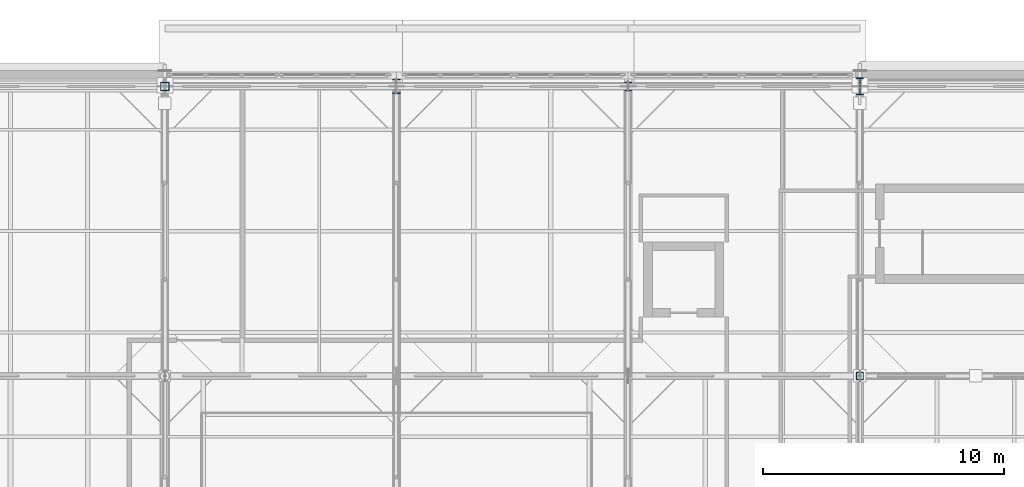
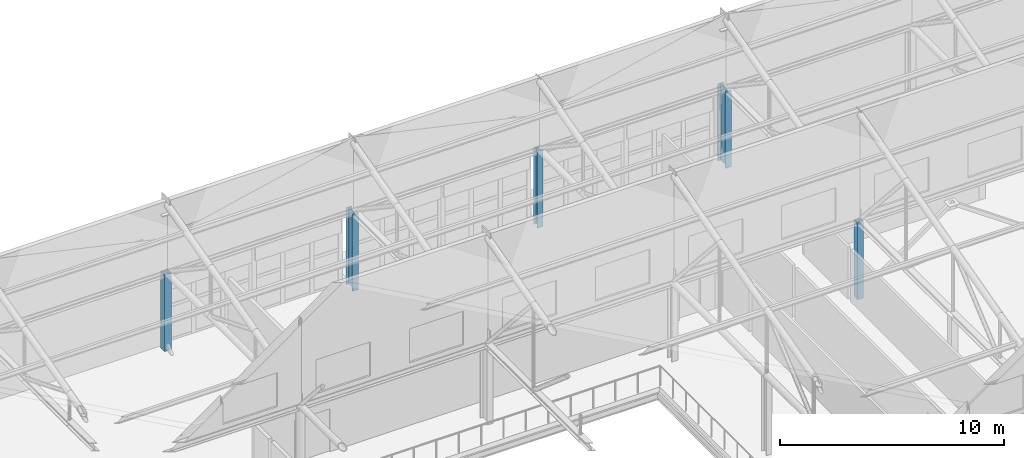
# One storey, part 5 of 89: 5 columns.
"""IFC4 building model written with IfcOpenShell, lengths in metres."""

from ifc_helpers import new_model, si_unit, direction, frame, origin, origin_2d, place, context, subcontext, project, spatial, hollow_rectangle, i_section, extrude, material, material_profile, profile_set, type_object, element, save


model = new_model("IFC4")

# Units and contexts
model_context = context("Model", 3, precision=1e-05, world=origin(), true_north=direction((0.0, 1.0)))
body_context = subcontext(model_context, "Body", "Model", "MODEL_VIEW")
ifc_project = project(units=[si_unit("LENGTHUNIT", "METRE"), si_unit("AREAUNIT", "SQUARE_METRE"), si_unit("VOLUMEUNIT", "CUBIC_METRE"), si_unit("PLANEANGLEUNIT", "RADIAN"), si_unit("MASSUNIT", "GRAM", prefix="KILO")], contexts=[model_context])

# Site, building, storey
site_placement = place(None, origin())
site = spatial("IfcSite", under=ifc_project, at=site_placement, CompositionType="ELEMENT")
building_placement = place(site_placement, origin())
building = spatial("IfcBuilding", under=site, at=building_placement, Name="Zereglee Splitstone Museum", CompositionType="ELEMENT")
storey_placement = place(building_placement, frame((0.0, 0.0, 21.300048828125)))
storey = spatial("IfcBuildingStorey", under=building, at=storey_placement, Name="L04", CompositionType="ELEMENT", Elevation=21.300048828125)

# Columns
ifc_material_1 = material(Name="Steel S355J2", Category="steel")
ifc_material_profile_1 = material_profile(ifc_material_1, i_section(OverallWidth=0.300048828125, OverallDepth=0.360107421875, WebThickness=0.012451171875, FlangeThickness=0.0224609375, FilletRadius=0.027099609375, at=origin_2d()), Name="HE 360 B")
ifc_profile_set_1 = profile_set([ifc_material_profile_1], Name="Steel S355J2")
column_type_1 = type_object("IfcColumnType", Name="C-16", PredefinedType="COLUMN", material=ifc_profile_set_1)
column_1_placement = place(storey_placement, frame((116.39990234375, 50.39990234375, 0.0), z_axis=(0.0, 0.0, 1.0), x_axis=(1.0, 0.0, 0.0)))
element("IfcColumn", 1, at=column_1_placement, inside=storey, type_object=column_type_1, Name="Column 14/F L04", PredefinedType="COLUMN", context=body_context, shape_type="SweptSolid", body=[
    extrude(i_section(OverallWidth=0.300048828125, OverallDepth=0.360107421875, WebThickness=0.012451171875, FlangeThickness=0.0224609375, FilletRadius=0.027099609375, at=origin_2d()), origin(), (0.0, 0.0, 1.0), 4.199951171875),
])
ifc_material_profile_2 = material_profile(ifc_material_1, i_section(OverallWidth=0.300048828125, OverallDepth=0.60009765625, WebThickness=0.015380859375, FlangeThickness=0.030029296875, FilletRadius=0.027099609375, at=origin_2d()), Name="HE 600 B")
ifc_profile_set_2 = profile_set([ifc_material_profile_2], Name="Steel S355J2")
column_type_2 = type_object("IfcColumnType", Name="C-11", PredefinedType="COLUMN", material=ifc_profile_set_2)
column_2_placement = place(storey_placement, frame((106.800048828125, 50.39990234375, 0.0), z_axis=(0.0, 0.0, 1.0), x_axis=(1.0, 0.0, 0.0)))
element("IfcColumn", 2, at=column_2_placement, inside=storey, type_object=column_type_2, Name="Column 13/F L04", PredefinedType="COLUMN", context=body_context, shape_type="SweptSolid", body=[
    extrude(i_section(OverallWidth=0.300048828125, OverallDepth=0.60009765625, WebThickness=0.015380859375, FlangeThickness=0.030029296875, FilletRadius=0.027099609375, at=origin_2d()), origin(), (0.0, 0.0, 1.0), 4.199951171875),
])
ifc_material_profile_3 = material_profile(ifc_material_1, i_section(OverallWidth=0.300048828125, OverallDepth=0.699951171875, WebThickness=0.01708984375, FlangeThickness=0.031982421875, FilletRadius=0.027099609375, at=origin_2d()), Name="HE 700 B")
ifc_profile_set_3 = profile_set([ifc_material_profile_3], Name="Steel S355J2")
column_type_3 = type_object("IfcColumnType", Name="C-09", PredefinedType="COLUMN", material=ifc_profile_set_3)
column_3_placement = place(storey_placement, frame((126.0, 50.39990234375, 0.0), z_axis=(0.0, 0.0, 1.0), x_axis=(1.0, 0.0, 0.0)))
element("IfcColumn", 3, at=column_3_placement, inside=storey, type_object=column_type_3, Name="Column 15/F L04", PredefinedType="COLUMN", context=body_context, shape_type="SweptSolid", body=[
    extrude(i_section(OverallWidth=0.300048828125, OverallDepth=0.699951171875, WebThickness=0.01708984375, FlangeThickness=0.031982421875, FilletRadius=0.027099609375, at=origin_2d()), origin(), (0.0, 0.0, 1.0), 4.199951171875),
])
ifc_material_2 = material(Name="Steel S355J2H", Category="steel")
ifc_material_profile_4 = material_profile(ifc_material_2, hollow_rectangle(XDim=0.300048828125, YDim=0.300048828125, WallThickness=0.01611328125, at=origin_2d()), Name="SHS 300x300x16")
ifc_profile_set_4 = profile_set([ifc_material_profile_4], Name="Steel S355J2H")
column_type_4 = type_object("IfcColumnType", Name="C-20", PredefinedType="COLUMN", material=ifc_profile_set_4)
column_4_placement = place(storey_placement, frame((126.0, 38.39990234375, 0.0), z_axis=(0.0, 0.0, 1.0), x_axis=(1.0, 0.0, 0.0)))
element("IfcColumn", 4, at=column_4_placement, inside=storey, type_object=column_type_4, Name="Column 15/E L04", PredefinedType="COLUMN", context=body_context, shape_type="SweptSolid", body=[
    extrude(hollow_rectangle(XDim=0.300048828125, YDim=0.300048828125, WallThickness=0.01611328125, at=origin_2d()), origin(), (0.0, 0.0, 1.0), 4.199951171875),
])
ifc_material_profile_5 = material_profile(ifc_material_2, hollow_rectangle(XDim=0.35009765625, YDim=0.35009765625, WallThickness=0.01611328125, at=origin_2d()), Name="SHS 350x350x16")
ifc_profile_set_5 = profile_set([ifc_material_profile_5], Name="Steel S355J2H")
column_type_5 = type_object("IfcColumnType", Name="C-19", PredefinedType="COLUMN", material=ifc_profile_set_5)
column_5_placement = place(storey_placement, frame((97.199951171875, 50.39990234375, 0.0), z_axis=(0.0, 0.0, 1.0), x_axis=(1.0, 0.0, 0.0)))
element("IfcColumn", 5, at=column_5_placement, inside=storey, type_object=column_type_5, Name="Column 12/F L04", PredefinedType="COLUMN", context=body_context, shape_type="SweptSolid", body=[
    extrude(hollow_rectangle(XDim=0.35009765625, YDim=0.35009765625, WallThickness=0.01611328125, at=origin_2d()), origin(), (0.0, 0.0, 1.0), 4.199951171875),
])

save(model, "model.ifc")
